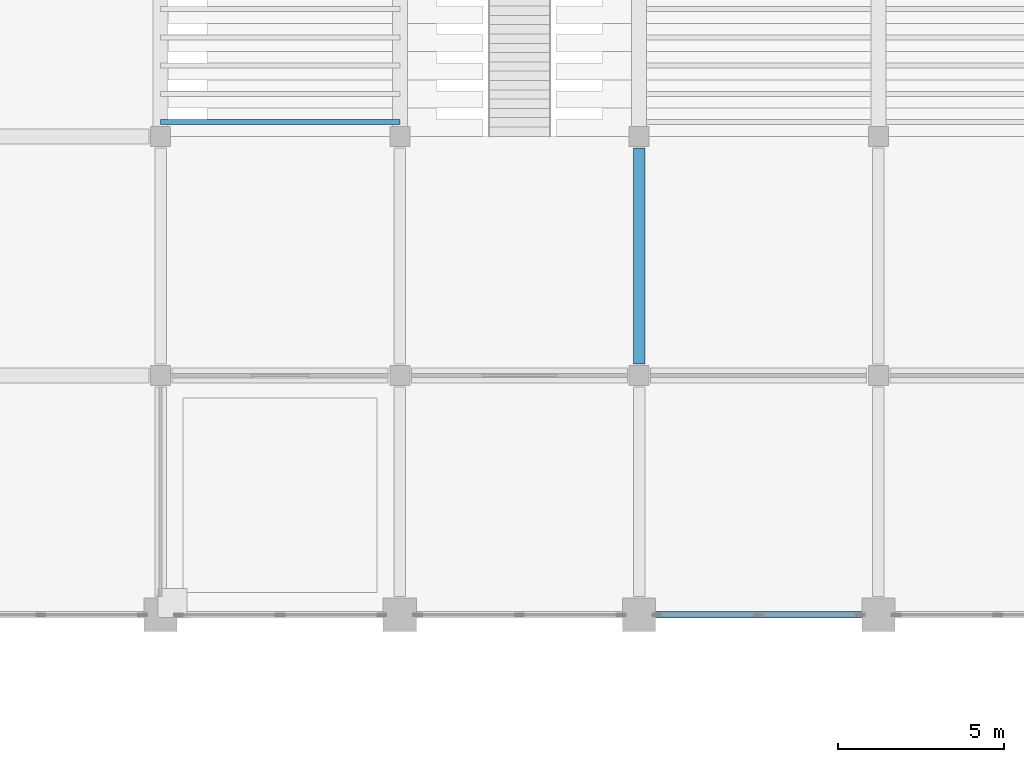
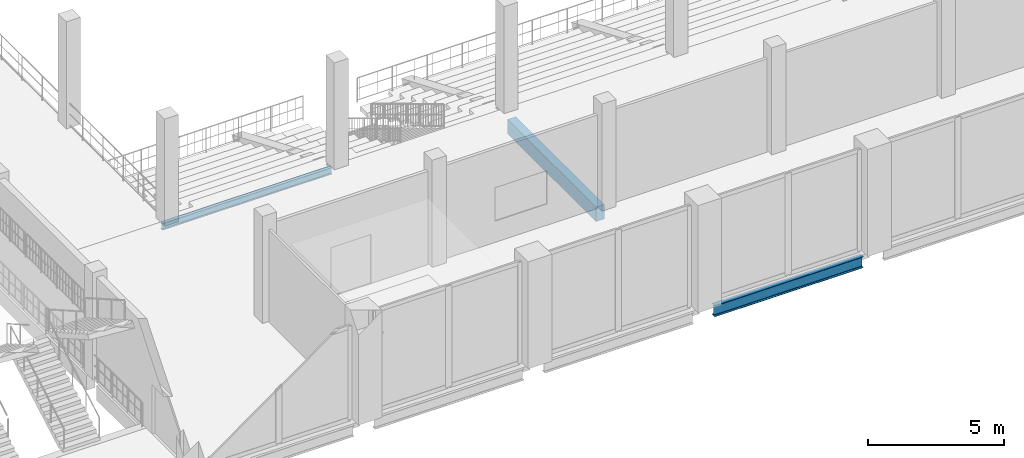
# One storey, part 8 of 99: 3 beams.
"""IFC4 building model written with IfcOpenShell, lengths in metres."""

import ifcopenshell
import ifcopenshell.guid

model = None  # the IFC model being written
_history = None  # IfcOwnerHistory: only IFC2X3 demands one
_inside = {}  # id of a spatial element -> (the spatial element, [elements in it])
_under = {}  # id of a project, library or spatial element -> (it, [spatial elements below it])
_declared = {}  # id of a project -> (the project, [libraries it declares])
_typed = {}  # id of a type object -> (the type object, [elements of that type])
_made_of = {}  # id of a material, layer set ... -> (it, [elements and type objects made of it])


def new_model(schema):
    """Start an empty IFC model of exactly this schema.

    Asked for "IFC4X3", IfcOpenShell would pick the latest addendum, in which some entities
    have other attributes; the version numbers below select the first issue.
    IFC2X3 requires an IfcOwnerHistory on every rooted entity: one is made here for all.
    """
    global model, _history
    if schema == "IFC4X3":
        model = ifcopenshell.file(schema_version=(4, 3, 0, 0))
    else:
        model = ifcopenshell.file(schema=schema)
    _inside.clear()
    _under.clear()
    _declared.clear()
    _typed.clear()
    _made_of.clear()
    _history = None
    if model.schema == "IFC2X3":
        org = make("IfcOrganization", Name="unknown")
        user = make(
            "IfcPersonAndOrganization",
            ThePerson=make("IfcPerson", FamilyName="unknown"),
            TheOrganization=org,
        )
        app = make(
            "IfcApplication",
            ApplicationDeveloper=org,
            Version="unknown",
            ApplicationFullName="unknown",
            ApplicationIdentifier="unknown",
        )
        _history = make(
            "IfcOwnerHistory",
            OwningUser=user,
            OwningApplication=app,
            ChangeAction="ADDED",
            CreationDate=0,
        )
    return model


def make(cls, **values):
    """One entity of the class cls with the attributes given. An attribute that is None is left unset."""
    return model.create_entity(
        cls, **{name: value for name, value in values.items() if value is not None}
    )


def rooted(cls, **values):
    """An entity with a GlobalId (a new one), such as an element, a storey or a relation."""
    return make(cls, GlobalId=ifcopenshell.guid.new(), OwnerHistory=_history, **values)


def si_unit(unit_type, name, prefix=None):
    """IfcSIUnit, for example si_unit("LENGTHUNIT", "METRE", prefix="MILLI")."""
    return make("IfcSIUnit", UnitType=unit_type, Prefix=prefix, Name=name)


def assignment(units):
    """IfcUnitAssignment: the units of a project."""
    return None if units is None else make("IfcUnitAssignment", Units=units)


def point(xyz):
    """IfcCartesianPoint."""
    return None if xyz is None else make("IfcCartesianPoint", Coordinates=xyz)


def direction(xyz):
    """IfcDirection."""
    return None if xyz is None else make("IfcDirection", DirectionRatios=xyz)


def frame(location, z_axis=None, x_axis=None):
    """IfcAxis2Placement3D, a coordinate frame: its origin and axes. An axis left out is left unset."""
    return make(
        "IfcAxis2Placement3D",
        Location=point(location),
        Axis=direction(z_axis),
        RefDirection=direction(x_axis),
    )


def frame_2d(location, x_axis=None):
    """IfcAxis2Placement2D, a coordinate frame in the plane: its origin and x axis."""
    return make(
        "IfcAxis2Placement2D", Location=point(location), RefDirection=direction(x_axis)
    )


def origin():
    """The frame at (0, 0, 0) with its axes left unset."""
    return frame((0.0, 0.0, 0.0))


def origin_2d():
    """The frame at (0, 0) in the plane with its x axis left unset."""
    return frame_2d((0.0, 0.0))


def place(relative_to, where):
    """IfcLocalPlacement: puts the frame where relative to a parent placement (None: the world)."""
    return make(
        "IfcLocalPlacement", PlacementRelTo=relative_to, RelativePlacement=where
    )


def context(
    kind, dimensions, precision=None, world=None, true_north=None, identifier=None
):
    """IfcGeometricRepresentationContext, for example the 3D "Model" context."""
    return make(
        "IfcGeometricRepresentationContext",
        ContextIdentifier=identifier,
        ContextType=kind,
        CoordinateSpaceDimension=dimensions,
        Precision=precision,
        WorldCoordinateSystem=world,
        TrueNorth=true_north,
    )


def subcontext(parent, identifier, kind, view, scale=None):
    """IfcGeometricRepresentationSubContext, for example "Body" below "Model"."""
    return make(
        "IfcGeometricRepresentationSubContext",
        ContextIdentifier=identifier,
        ContextType=kind,
        ParentContext=parent,
        TargetScale=scale,
        TargetView=view,
    )


def project(units=None, contexts=None):
    """IfcProject with its units and contexts."""
    return rooted(
        "IfcProject",
        Name="project",
        RepresentationContexts=contexts,
        UnitsInContext=assignment(units),
    )


def spatial(cls, under=None, at=None, **own):
    """A site, building, storey or space (cls), placed at a placement, below another one or the project."""
    s = rooted(cls, ObjectPlacement=at, **own)
    if under is not None:
        _under.setdefault(under.id(), (under, []))[1].append(s)
    return s


def profile(cls, at=None, kind="AREA", **sizes):
    """A parametric profile (cls). Its sizes go by their IFC names, for example OverallWidth=200.0."""
    return make(cls, ProfileType=kind, Position=at, **sizes)


def rectangle(**sizes):
    """IfcRectangleProfileDef."""
    return profile("IfcRectangleProfileDef", **sizes)


def i_section(**sizes):
    """IfcIShapeProfileDef."""
    return profile("IfcIShapeProfileDef", **sizes)


def extrude(swept, where, along, depth):
    """IfcExtrudedAreaSolid: the profile swept, set in the frame where, extruded along a direction by depth."""
    return make(
        "IfcExtrudedAreaSolid",
        SweptArea=swept,
        Position=where,
        ExtrudedDirection=direction(along),
        Depth=depth,
    )


def shape(context_of_items, identifier, shape_type, items):
    """IfcShapeRepresentation: the items that make up one representation, for example the "Body"."""
    return make(
        "IfcShapeRepresentation",
        ContextOfItems=context_of_items,
        RepresentationIdentifier=identifier,
        RepresentationType=shape_type,
        Items=items,
    )


def material(Name=None, Category=None):
    """IfcMaterial."""
    return make("IfcMaterial", Name=Name, Category=Category)


def material_profile(
    of_material, cross_section, Name=None, Category=None, Priority=None
):
    """IfcMaterialProfile: a cross section and its material."""
    return make(
        "IfcMaterialProfile",
        Name=Name,
        Material=of_material,
        Profile=cross_section,
        Priority=Priority,
        Category=Category,
    )


def profile_set(profiles, Name=None, composite=None):
    """IfcMaterialProfileSet."""
    return make(
        "IfcMaterialProfileSet",
        Name=Name,
        MaterialProfiles=profiles,
        CompositeProfile=composite,
    )


def made_of(thing, what):
    """Note that an element or type object is made of a material, layer set ...; save() writes the relation."""
    if what is not None:
        _made_of.setdefault(what.id(), (what, []))[1].append(thing)
    return thing


def type_object(cls, material=None, **own):
    """A type object (cls), such as IfcWallType, which elements share."""
    return made_of(rooted(cls, **own), material)


def element(
    cls,
    number,
    at=None,
    inside=None,
    cuts=None,
    type_object=None,
    material=None,
    context=None,
    identifier="Body",
    shape_type=None,
    held_by="IfcProductDefinitionShape",
    body=None,
    shapes=None,
    **own,
):
    """One element of the class cls, such as IfcWall. Its Tag is "e" and its number.

    at: its placement. inside: the storey or other place that contains it. cuts: it is an
    opening in that element (IfcRelVoidsElement). A single representation is given by context,
    identifier, shape_type and body (its items); several are given by shapes. held_by: the class
    of the entity that holds the representations. save() writes the other relations.
    """
    e = rooted(cls, Tag="e%d" % number, ObjectPlacement=at, **own)
    if body is not None:
        shapes = [shape(context, identifier, shape_type, body)]
    if shapes is not None:
        e.Representation = make(held_by, Representations=shapes)
    if inside is not None:
        _inside.setdefault(inside.id(), (inside, []))[1].append(e)
    if cuts is not None:
        rooted(
            "IfcRelVoidsElement", RelatingBuildingElement=cuts, RelatedOpeningElement=e
        )
    if type_object is not None:
        _typed.setdefault(type_object.id(), (type_object, []))[1].append(e)
    return made_of(e, material)


def aggregate(whole, parts):
    """IfcRelAggregates: a whole, such as a stair, and the parts it consists of."""
    return rooted("IfcRelAggregates", RelatingObject=whole, RelatedObjects=parts)


def save(model, path):
    """Write the relations noted so far, then the file.

    IfcRelAggregates (storeys below a building ...), IfcRelContainedInSpatialStructure (elements
    in a storey), IfcRelDefinesByType, IfcRelAssociatesMaterial and IfcRelDeclares: one each for
    every whole, place, type object, material and project.
    """
    for whole, parts in _under.values():
        aggregate(whole, parts)
    for where, things in _inside.values():
        rooted(
            "IfcRelContainedInSpatialStructure",
            RelatedElements=things,
            RelatingStructure=where,
        )
    for kind, things in _typed.values():
        rooted("IfcRelDefinesByType", RelatedObjects=things, RelatingType=kind)
    for what, things in _made_of.values():
        rooted("IfcRelAssociatesMaterial", RelatedObjects=things, RelatingMaterial=what)
    for by, libraries in _declared.values():
        rooted("IfcRelDeclares", RelatingContext=by, RelatedDefinitions=libraries)
    model.write(path)


model = new_model("IFC4")

# Units and contexts
model_context = context("Model", 3, precision=1e-05, world=origin(), true_north=direction((0.0, 1.0)))
body_context = subcontext(model_context, "Body", "Model", "MODEL_VIEW")
ifc_project = project(units=[si_unit("LENGTHUNIT", "METRE"), si_unit("AREAUNIT", "SQUARE_METRE"), si_unit("VOLUMEUNIT", "CUBIC_METRE"), si_unit("PLANEANGLEUNIT", "RADIAN"), si_unit("MASSUNIT", "GRAM", prefix="KILO")], contexts=[model_context])

# Site, building, storey
site_placement = place(None, origin())
site = spatial("IfcSite", under=ifc_project, at=site_placement, CompositionType="ELEMENT")
building_placement = place(site_placement, origin())
building = spatial("IfcBuilding", under=site, at=building_placement, Name="Vesperath Aquatics Centre", CompositionType="ELEMENT")
storey_placement = place(building_placement, frame((0.0, 0.0, 5.39990234375)))
storey = spatial("IfcBuildingStorey", under=building, at=storey_placement, Name="L01", CompositionType="ELEMENT", Elevation=5.39990234375)

# Beams
ifc_material_1 = material(Name="Concrete C35", Category="concrete")
ifc_material_profile_1 = material_profile(ifc_material_1, rectangle(XDim=0.35009765625, YDim=0.64990234375, at=origin_2d()), Name="RC 350x650")
ifc_profile_set_1 = profile_set([ifc_material_profile_1], Name="Concrete C35")
beam_type_1 = type_object("IfcBeamType", Name="BM-G05", PredefinedType="BEAM", material=ifc_profile_set_1)
beam_1_placement = place(storey_placement, frame((28.800048828125, 21.949951171875, -0.5849609375), z_axis=(0.0, 1.0, 0.0), x_axis=(-1.0, 0.0, 0.0)))
element("IfcBeam", 1, at=beam_1_placement, inside=storey, type_object=beam_type_1, Name="Floor Girder B05 L01 5 D-E", PredefinedType="BEAM", context=body_context, shape_type="SweptSolid", body=[
    extrude(rectangle(XDim=0.35009765625, YDim=0.64990234375, at=origin_2d()), origin(), (0.0, 0.0, 1.0), 6.5),
])
ifc_material_2 = material(Name="Steel Q355C", Category="steel")
ifc_material_profile_2 = material_profile(ifc_material_2, i_section(OverallWidth=0.14990234375, OverallDepth=0.300048828125, WebThickness=0.006591796875, FlangeThickness=0.009033203125, FilletRadius=0.012939453125, at=origin_2d()), Name="HN 300x150x6.5x9")
ifc_profile_set_2 = profile_set([ifc_material_profile_2], Name="Steel Q355C")
beam_type_2 = type_object("IfcBeamType", Name="BM-J06", PredefinedType="JOIST", material=ifc_profile_set_2)
beam_2_placement = place(storey_placement, frame((14.39990234375, 29.22509765625, -0.52978515625), z_axis=(1.0, 0.0, 0.0), x_axis=(0.0, 1.0, 0.0)))
element("IfcBeam", 2, at=beam_2_placement, inside=storey, type_object=beam_type_2, Name="Lower Tier Bearer Beam J06 S-R1-B1M", PredefinedType="JOIST", context=body_context, shape_type="SweptSolid", body=[
    extrude(i_section(OverallWidth=0.14990234375, OverallDepth=0.300048828125, WebThickness=0.006591796875, FlangeThickness=0.009033203125, FilletRadius=0.012939453125, at=origin_2d()), origin(), (0.0, 0.0, 1.0), 7.2001953125),
])
ifc_material_3 = material(Name="Steel Q355D", Category="steel")
ifc_material_profile_3 = material_profile(ifc_material_3, i_section(OverallWidth=0.199951171875, OverallDepth=0.5, WebThickness=0.010009765625, FlangeThickness=0.01611328125, FilletRadius=0.02001953125, at=origin_2d()), Name="HN 500x200x10x16")
ifc_profile_set_3 = profile_set([ifc_material_profile_3], Name="Steel Q355D")
beam_type_3 = type_object("IfcBeamType", Name="BM-SP01", PredefinedType="SPANDREL", material=ifc_profile_set_3)
beam_3_placement = place(storey_placement, frame((29.25, 14.39990234375, -0.510009765625), z_axis=(1.0, 0.0, 0.0), x_axis=(0.0, 1.0, 0.0)))
element("IfcBeam", 3, at=beam_3_placement, inside=storey, type_object=beam_type_3, Name="Floor Girder SP01 L01 C 5-6", PredefinedType="SPANDREL", context=body_context, shape_type="SweptSolid", body=[
    extrude(i_section(OverallWidth=0.199951171875, OverallDepth=0.5, WebThickness=0.010009765625, FlangeThickness=0.01611328125, FilletRadius=0.02001953125, at=origin_2d()), origin(), (0.0, 0.0, 1.0), 6.300048828125),
])

save(model, "model.ifc")
